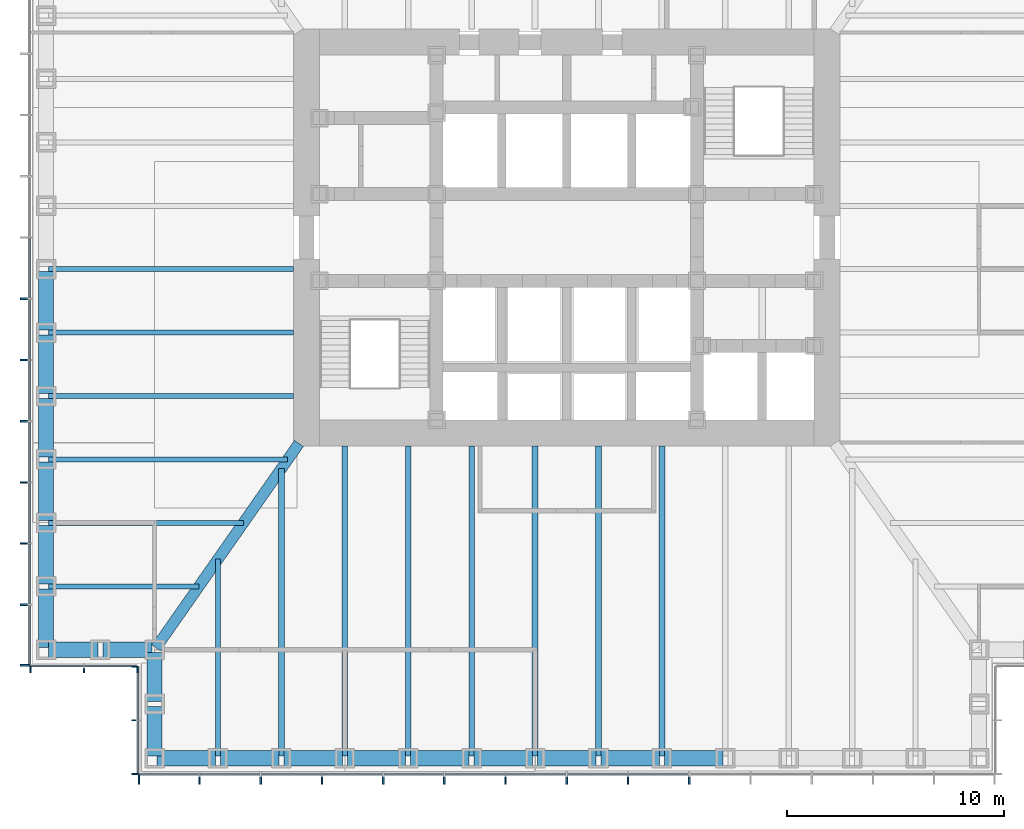
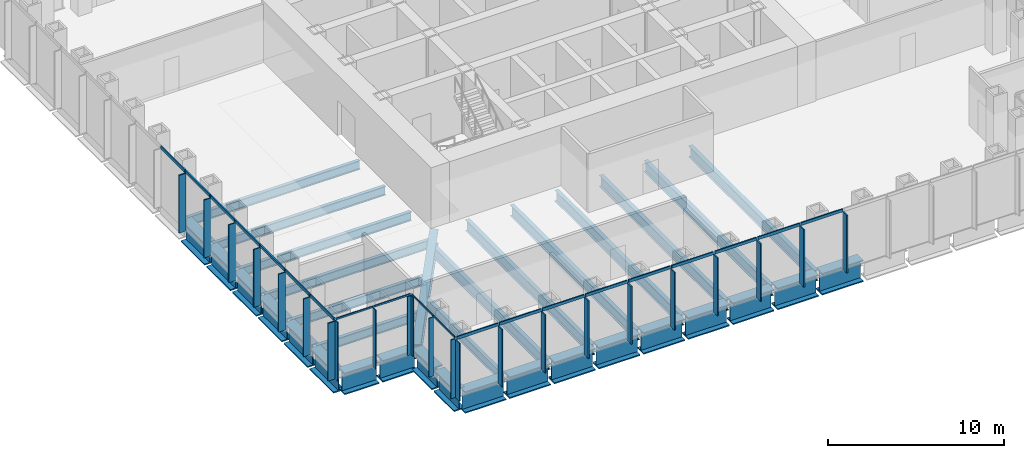
# One storey, part 2 of 16: 43 members, 34 beams, 4 elements without a shape of their own.
"""IFC4 building model written with IfcOpenShell, lengths in metres."""

from ifc_helpers import new_model, si_unit, direction, frame, origin, origin_2d, place, context, subcontext, project, spatial, rectangle, i_section, extrude, material, material_profile, profile_set, type_object, element, aggregate, save


model = new_model("IFC4")

# Units and contexts
model_context = context("Model", 3, precision=1e-05, world=origin(), true_north=direction((0.0, 1.0)))
body_context = subcontext(model_context, "Body", "Model", "MODEL_VIEW")
ifc_project = project(units=[si_unit("LENGTHUNIT", "METRE"), si_unit("AREAUNIT", "SQUARE_METRE"), si_unit("VOLUMEUNIT", "CUBIC_METRE"), si_unit("PLANEANGLEUNIT", "RADIAN"), si_unit("MASSUNIT", "GRAM", prefix="KILO")], contexts=[model_context])

# Site, building, storey
site_placement = place(None, origin())
site = spatial("IfcSite", under=ifc_project, at=site_placement, CompositionType="ELEMENT")
building_placement = place(site_placement, origin())
building = spatial("IfcBuilding", under=site, at=building_placement, Name="Daluyong Arena Tower", CompositionType="ELEMENT")
storey_placement = place(building_placement, frame((0.0, 0.0, 68.5)))
storey = spatial("IfcBuildingStorey", under=building, at=storey_placement, Name="L14", CompositionType="ELEMENT", Elevation=68.5)

# Curtain wall, members
ifc_material_1 = material(Name="Bronze anodised aluminium and glass", Category="aluminium")
curtain_wall_type_1 = type_object("IfcCurtainWallType", Name="Curtain wall CW1", PredefinedType="USERDEFINED", material=ifc_material_1)
curtain_wall_1_placement = place(storey_placement, origin())
curtain_wall_1 = element("IfcCurtainWall", 1, at=curtain_wall_1_placement, inside=storey, type_object=curtain_wall_type_1, Name="curtain wall L14 S", ObjectType="UNITISED CURTAIN WALL", PredefinedType="USERDEFINED")
ifc_material_2 = material(Name="Bronze anodised aluminium fin", Category="aluminium")
ifc_material_profile_1 = material_profile(ifc_material_2, rectangle(XDim=0.449951171875, YDim=0.080078125, at=origin_2d()))
ifc_profile_set_1 = profile_set([ifc_material_profile_1], Name="Bronze anodised aluminium fin")
member_type_1 = type_object("IfcMemberType", Name="CW1 bronze fin 450x80", PredefinedType="MULLION", material=ifc_profile_set_1)
member_1_placement = place(storey_placement, frame((36.2900390625, 55.02490234375, 0.0), z_axis=(0.0, 0.0, 1.0), x_axis=(0.0, 1.0, 0.0)))
member_1 = element("IfcMember", 2, at=member_1_placement, type_object=member_type_1, Name="curtain wall L14 S fin 1", PredefinedType="MULLION", context=body_context, shape_type="SweptSolid", body=[
    extrude(rectangle(XDim=0.449951171875, YDim=0.080078125, at=origin_2d()), origin(), (0.0, 0.0, 1.0), 4.0),
])
member_2_placement = place(storey_placement, frame((39.071533203125, 55.02490234375, 0.0), z_axis=(0.0, 0.0, 1.0), x_axis=(0.0, 1.0, 0.0)))
member_2 = element("IfcMember", 3, at=member_2_placement, type_object=member_type_1, Name="curtain wall L14 S fin 2", PredefinedType="MULLION", context=body_context, shape_type="SweptSolid", body=[
    extrude(rectangle(XDim=0.449951171875, YDim=0.080078125, at=origin_2d()), origin(), (0.0, 0.0, 1.0), 4.0),
])
member_3_placement = place(storey_placement, frame((41.892822265625, 55.02490234375, 0.0), z_axis=(0.0, 0.0, 1.0), x_axis=(0.0, 1.0, 0.0)))
member_3 = element("IfcMember", 4, at=member_3_placement, type_object=member_type_1, Name="curtain wall L14 S fin 3", PredefinedType="MULLION", context=body_context, shape_type="SweptSolid", body=[
    extrude(rectangle(XDim=0.449951171875, YDim=0.080078125, at=origin_2d()), origin(), (0.0, 0.0, 1.0), 4.0),
])
member_4_placement = place(storey_placement, frame((44.71435546875, 55.02490234375, 0.0), z_axis=(0.0, 0.0, 1.0), x_axis=(0.0, 1.0, 0.0)))
member_4 = element("IfcMember", 5, at=member_4_placement, type_object=member_type_1, Name="curtain wall L14 S fin 4", PredefinedType="MULLION", context=body_context, shape_type="SweptSolid", body=[
    extrude(rectangle(XDim=0.449951171875, YDim=0.080078125, at=origin_2d()), origin(), (0.0, 0.0, 1.0), 4.0),
])
member_5_placement = place(storey_placement, frame((47.53564453125, 55.02490234375, 0.0), z_axis=(0.0, 0.0, 1.0), x_axis=(0.0, 1.0, 0.0)))
member_5 = element("IfcMember", 6, at=member_5_placement, type_object=member_type_1, Name="curtain wall L14 S fin 5", PredefinedType="MULLION", context=body_context, shape_type="SweptSolid", body=[
    extrude(rectangle(XDim=0.449951171875, YDim=0.080078125, at=origin_2d()), origin(), (0.0, 0.0, 1.0), 4.0),
])
member_6_placement = place(storey_placement, frame((50.357177734375, 55.02490234375, 0.0), z_axis=(0.0, 0.0, 1.0), x_axis=(0.0, 1.0, 0.0)))
member_6 = element("IfcMember", 7, at=member_6_placement, type_object=member_type_1, Name="curtain wall L14 S fin 6", PredefinedType="MULLION", context=body_context, shape_type="SweptSolid", body=[
    extrude(rectangle(XDim=0.449951171875, YDim=0.080078125, at=origin_2d()), origin(), (0.0, 0.0, 1.0), 4.0),
])
member_7_placement = place(storey_placement, frame((53.178466796875, 55.02490234375, 0.0), z_axis=(0.0, 0.0, 1.0), x_axis=(0.0, 1.0, 0.0)))
member_7 = element("IfcMember", 8, at=member_7_placement, type_object=member_type_1, Name="curtain wall L14 S fin 7", PredefinedType="MULLION", context=body_context, shape_type="SweptSolid", body=[
    extrude(rectangle(XDim=0.449951171875, YDim=0.080078125, at=origin_2d()), origin(), (0.0, 0.0, 1.0), 4.0),
])
member_8_placement = place(storey_placement, frame((56.0, 55.02490234375, 0.0), z_axis=(0.0, 0.0, 1.0), x_axis=(0.0, 1.0, 0.0)))
member_8 = element("IfcMember", 9, at=member_8_placement, type_object=member_type_1, Name="curtain wall L14 S fin 8", PredefinedType="MULLION", context=body_context, shape_type="SweptSolid", body=[
    extrude(rectangle(XDim=0.449951171875, YDim=0.080078125, at=origin_2d()), origin(), (0.0, 0.0, 1.0), 4.0),
])
member_9_placement = place(storey_placement, frame((58.821533203125, 55.02490234375, 0.0), z_axis=(0.0, 0.0, 1.0), x_axis=(0.0, 1.0, 0.0)))
member_9 = element("IfcMember", 10, at=member_9_placement, type_object=member_type_1, Name="curtain wall L14 S fin 9", PredefinedType="MULLION", context=body_context, shape_type="SweptSolid", body=[
    extrude(rectangle(XDim=0.449951171875, YDim=0.080078125, at=origin_2d()), origin(), (0.0, 0.0, 1.0), 4.0),
])
member_10_placement = place(storey_placement, frame((61.642822265625, 55.02490234375, 0.0), z_axis=(0.0, 0.0, 1.0), x_axis=(0.0, 1.0, 0.0)))
member_10 = element("IfcMember", 11, at=member_10_placement, type_object=member_type_1, Name="curtain wall L14 S fin 10", PredefinedType="MULLION", context=body_context, shape_type="SweptSolid", body=[
    extrude(rectangle(XDim=0.449951171875, YDim=0.080078125, at=origin_2d()), origin(), (0.0, 0.0, 1.0), 4.0),
])

curtain_wall_2_placement = place(storey_placement, origin())
curtain_wall_2 = element("IfcCurtainWall", 12, at=curtain_wall_2_placement, inside=storey, type_object=curtain_wall_type_1, Name="curtain wall L14 W", ObjectType="UNITISED CURTAIN WALL", PredefinedType="USERDEFINED")
member_11_placement = place(storey_placement, frame((31.02490234375, 77.178466796875, 0.0), z_axis=(0.0, 0.0, 1.0), x_axis=(1.0, 0.0, 0.0)))
member_11 = element("IfcMember", 13, at=member_11_placement, type_object=member_type_1, Name="curtain wall L14 W fin 9", PredefinedType="MULLION", context=body_context, shape_type="SweptSolid", body=[
    extrude(rectangle(XDim=0.449951171875, YDim=0.080078125, at=origin_2d()), origin(), (0.0, 0.0, 1.0), 4.0),
])
member_12_placement = place(storey_placement, frame((31.02490234375, 74.357177734375, 0.0), z_axis=(0.0, 0.0, 1.0), x_axis=(1.0, 0.0, 0.0)))
member_12 = element("IfcMember", 14, at=member_12_placement, type_object=member_type_1, Name="curtain wall L14 W fin 10", PredefinedType="MULLION", context=body_context, shape_type="SweptSolid", body=[
    extrude(rectangle(XDim=0.449951171875, YDim=0.080078125, at=origin_2d()), origin(), (0.0, 0.0, 1.0), 4.0),
])
member_13_placement = place(storey_placement, frame((31.02490234375, 71.53564453125, 0.0), z_axis=(0.0, 0.0, 1.0), x_axis=(1.0, 0.0, 0.0)))
member_13 = element("IfcMember", 15, at=member_13_placement, type_object=member_type_1, Name="curtain wall L14 W fin 11", PredefinedType="MULLION", context=body_context, shape_type="SweptSolid", body=[
    extrude(rectangle(XDim=0.449951171875, YDim=0.080078125, at=origin_2d()), origin(), (0.0, 0.0, 1.0), 4.0),
])
member_14_placement = place(storey_placement, frame((31.02490234375, 68.71435546875, 0.0), z_axis=(0.0, 0.0, 1.0), x_axis=(1.0, 0.0, 0.0)))
member_14 = element("IfcMember", 16, at=member_14_placement, type_object=member_type_1, Name="curtain wall L14 W fin 12", PredefinedType="MULLION", context=body_context, shape_type="SweptSolid", body=[
    extrude(rectangle(XDim=0.449951171875, YDim=0.080078125, at=origin_2d()), origin(), (0.0, 0.0, 1.0), 4.0),
])
member_15_placement = place(storey_placement, frame((31.02490234375, 65.892822265625, 0.0), z_axis=(0.0, 0.0, 1.0), x_axis=(1.0, 0.0, 0.0)))
member_15 = element("IfcMember", 17, at=member_15_placement, type_object=member_type_1, Name="curtain wall L14 W fin 13", PredefinedType="MULLION", context=body_context, shape_type="SweptSolid", body=[
    extrude(rectangle(XDim=0.449951171875, YDim=0.080078125, at=origin_2d()), origin(), (0.0, 0.0, 1.0), 4.0),
])
member_16_placement = place(storey_placement, frame((31.02490234375, 63.071533203125, 0.0), z_axis=(0.0, 0.0, 1.0), x_axis=(1.0, 0.0, 0.0)))
member_16 = element("IfcMember", 18, at=member_16_placement, type_object=member_type_1, Name="curtain wall L14 W fin 14", PredefinedType="MULLION", context=body_context, shape_type="SweptSolid", body=[
    extrude(rectangle(XDim=0.449951171875, YDim=0.080078125, at=origin_2d()), origin(), (0.0, 0.0, 1.0), 4.0),
])
member_17_placement = place(storey_placement, frame((31.02490234375, 60.2900390625, 0.0), z_axis=(0.0, 0.0, 1.0), x_axis=(1.0, 0.0, 0.0)))
member_17 = element("IfcMember", 19, at=member_17_placement, type_object=member_type_1, Name="curtain wall L14 W fin 15", PredefinedType="MULLION", context=body_context, shape_type="SweptSolid", body=[
    extrude(rectangle(XDim=0.449951171875, YDim=0.080078125, at=origin_2d()), origin(), (0.0, 0.0, 1.0), 4.0),
])

# Member
ifc_material_3 = material(Name="Bronze anodised aluminium", Category="aluminium")
ifc_material_profile_2 = material_profile(ifc_material_3, rectangle(XDim=0.080078125, YDim=0.199951171875, at=origin_2d()))
ifc_profile_set_2 = profile_set([ifc_material_profile_2], Name="Bronze anodised aluminium")
member_type_2 = type_object("IfcMemberType", Name="CW1 stack transom 200x80", PredefinedType="USERDEFINED", material=ifc_profile_set_2)
member_18_placement = place(storey_placement, frame((36.330078125, 55.25, 4.10009765625), z_axis=(1.0, 0.0, 0.0), x_axis=(0.0, 1.0, 0.0)))
member_18 = element("IfcMember", 20, at=member_18_placement, type_object=member_type_2, Name="curtain wall L14 S transom 1", ObjectType="TRANSOM", PredefinedType="USERDEFINED", context=body_context, shape_type="SweptSolid", body=[
    extrude(rectangle(XDim=0.080078125, YDim=0.199951171875, at=origin_2d()), origin(), (0.0, 0.0, 1.0), 2.701416015625),
])

member_19_placement = place(storey_placement, frame((39.111328125, 55.25, 4.10009765625), z_axis=(1.0, 0.0, 0.0), x_axis=(0.0, 1.0, 0.0)))
member_19 = element("IfcMember", 21, at=member_19_placement, type_object=member_type_2, Name="curtain wall L14 S transom 2", ObjectType="TRANSOM", PredefinedType="USERDEFINED", context=body_context, shape_type="SweptSolid", body=[
    extrude(rectangle(XDim=0.080078125, YDim=0.199951171875, at=origin_2d()), origin(), (0.0, 0.0, 1.0), 2.741455078125),
])

member_20_placement = place(storey_placement, frame((41.932861328125, 55.25, 4.10009765625), z_axis=(1.0, 0.0, 0.0), x_axis=(0.0, 1.0, 0.0)))
member_20 = element("IfcMember", 22, at=member_20_placement, type_object=member_type_2, Name="curtain wall L14 S transom 3", ObjectType="TRANSOM", PredefinedType="USERDEFINED", context=body_context, shape_type="SweptSolid", body=[
    extrude(rectangle(XDim=0.080078125, YDim=0.199951171875, at=origin_2d()), origin(), (0.0, 0.0, 1.0), 2.741455078125),
])

member_21_placement = place(storey_placement, frame((44.75439453125, 55.25, 4.10009765625), z_axis=(1.0, 0.0, 0.0), x_axis=(0.0, 1.0, 0.0)))
member_21 = element("IfcMember", 23, at=member_21_placement, type_object=member_type_2, Name="curtain wall L14 S transom 4", ObjectType="TRANSOM", PredefinedType="USERDEFINED", context=body_context, shape_type="SweptSolid", body=[
    extrude(rectangle(XDim=0.080078125, YDim=0.199951171875, at=origin_2d()), origin(), (0.0, 0.0, 1.0), 2.7412109375),
])

member_22_placement = place(storey_placement, frame((47.57568359375, 55.25, 4.10009765625), z_axis=(1.0, 0.0, 0.0), x_axis=(0.0, 1.0, 0.0)))
member_22 = element("IfcMember", 24, at=member_22_placement, type_object=member_type_2, Name="curtain wall L14 S transom 5", ObjectType="TRANSOM", PredefinedType="USERDEFINED", context=body_context, shape_type="SweptSolid", body=[
    extrude(rectangle(XDim=0.080078125, YDim=0.199951171875, at=origin_2d()), origin(), (0.0, 0.0, 1.0), 2.741455078125),
])

member_23_placement = place(storey_placement, frame((50.397216796875, 55.25, 4.10009765625), z_axis=(1.0, 0.0, 0.0), x_axis=(0.0, 1.0, 0.0)))
member_23 = element("IfcMember", 25, at=member_23_placement, type_object=member_type_2, Name="curtain wall L14 S transom 6", ObjectType="TRANSOM", PredefinedType="USERDEFINED", context=body_context, shape_type="SweptSolid", body=[
    extrude(rectangle(XDim=0.080078125, YDim=0.199951171875, at=origin_2d()), origin(), (0.0, 0.0, 1.0), 2.741455078125),
])

member_24_placement = place(storey_placement, frame((53.218505859375, 55.25, 4.10009765625), z_axis=(1.0, 0.0, 0.0), x_axis=(0.0, 1.0, 0.0)))
member_24 = element("IfcMember", 26, at=member_24_placement, type_object=member_type_2, Name="curtain wall L14 S transom 7", ObjectType="TRANSOM", PredefinedType="USERDEFINED", context=body_context, shape_type="SweptSolid", body=[
    extrude(rectangle(XDim=0.080078125, YDim=0.199951171875, at=origin_2d()), origin(), (0.0, 0.0, 1.0), 2.741455078125),
])

member_25_placement = place(storey_placement, frame((56.0400390625, 55.25, 4.10009765625), z_axis=(1.0, 0.0, 0.0), x_axis=(0.0, 1.0, 0.0)))
member_25 = element("IfcMember", 27, at=member_25_placement, type_object=member_type_2, Name="curtain wall L14 S transom 8", ObjectType="TRANSOM", PredefinedType="USERDEFINED", context=body_context, shape_type="SweptSolid", body=[
    extrude(rectangle(XDim=0.080078125, YDim=0.199951171875, at=origin_2d()), origin(), (0.0, 0.0, 1.0), 2.741455078125),
])

member_26_placement = place(storey_placement, frame((58.861328125, 55.25, 4.10009765625), z_axis=(1.0, 0.0, 0.0), x_axis=(0.0, 1.0, 0.0)))
member_26 = element("IfcMember", 28, at=member_26_placement, type_object=member_type_2, Name="curtain wall L14 S transom 9", ObjectType="TRANSOM", PredefinedType="USERDEFINED", context=body_context, shape_type="SweptSolid", body=[
    extrude(rectangle(XDim=0.080078125, YDim=0.199951171875, at=origin_2d()), origin(), (0.0, 0.0, 1.0), 2.741455078125),
])

aggregate(curtain_wall_1, [member_1, member_2, member_3, member_4, member_5, member_6, member_7, member_8, member_9, member_10, member_18, member_19, member_20, member_21, member_22, member_23, member_24, member_25, member_26])

member_27_placement = place(storey_placement, frame((31.25, 79.9599609375, 4.10009765625), z_axis=(0.0, -1.0, 0.0), x_axis=(1.0, 0.0, 0.0)))
member_27 = element("IfcMember", 29, at=member_27_placement, type_object=member_type_2, Name="curtain wall L14 W transom 8", ObjectType="TRANSOM", PredefinedType="USERDEFINED", context=body_context, shape_type="SweptSolid", body=[
    extrude(rectangle(XDim=0.080078125, YDim=0.199951171875, at=origin_2d()), origin(), (0.0, 0.0, 1.0), 2.741455078125),
])

member_28_placement = place(storey_placement, frame((31.25, 77.138671875, 4.10009765625), z_axis=(0.0, -1.0, 0.0), x_axis=(1.0, 0.0, 0.0)))
member_28 = element("IfcMember", 30, at=member_28_placement, type_object=member_type_2, Name="curtain wall L14 W transom 9", ObjectType="TRANSOM", PredefinedType="USERDEFINED", context=body_context, shape_type="SweptSolid", body=[
    extrude(rectangle(XDim=0.080078125, YDim=0.199951171875, at=origin_2d()), origin(), (0.0, 0.0, 1.0), 2.741455078125),
])

member_29_placement = place(storey_placement, frame((31.25, 74.317138671875, 4.10009765625), z_axis=(0.0, -1.0, 0.0), x_axis=(1.0, 0.0, 0.0)))
member_29 = element("IfcMember", 31, at=member_29_placement, type_object=member_type_2, Name="curtain wall L14 W transom 10", ObjectType="TRANSOM", PredefinedType="USERDEFINED", context=body_context, shape_type="SweptSolid", body=[
    extrude(rectangle(XDim=0.080078125, YDim=0.199951171875, at=origin_2d()), origin(), (0.0, 0.0, 1.0), 2.741455078125),
])

member_30_placement = place(storey_placement, frame((31.25, 71.49560546875, 4.10009765625), z_axis=(0.0, -1.0, 0.0), x_axis=(1.0, 0.0, 0.0)))
member_30 = element("IfcMember", 32, at=member_30_placement, type_object=member_type_2, Name="curtain wall L14 W transom 11", ObjectType="TRANSOM", PredefinedType="USERDEFINED", context=body_context, shape_type="SweptSolid", body=[
    extrude(rectangle(XDim=0.080078125, YDim=0.199951171875, at=origin_2d()), origin(), (0.0, 0.0, 1.0), 2.7412109375),
])

member_31_placement = place(storey_placement, frame((31.25, 68.67431640625, 4.10009765625), z_axis=(0.0, -1.0, 0.0), x_axis=(1.0, 0.0, 0.0)))
member_31 = element("IfcMember", 33, at=member_31_placement, type_object=member_type_2, Name="curtain wall L14 W transom 12", ObjectType="TRANSOM", PredefinedType="USERDEFINED", context=body_context, shape_type="SweptSolid", body=[
    extrude(rectangle(XDim=0.080078125, YDim=0.199951171875, at=origin_2d()), origin(), (0.0, 0.0, 1.0), 2.741455078125),
])

member_32_placement = place(storey_placement, frame((31.25, 65.852783203125, 4.10009765625), z_axis=(0.0, -1.0, 0.0), x_axis=(1.0, 0.0, 0.0)))
member_32 = element("IfcMember", 34, at=member_32_placement, type_object=member_type_2, Name="curtain wall L14 W transom 13", ObjectType="TRANSOM", PredefinedType="USERDEFINED", context=body_context, shape_type="SweptSolid", body=[
    extrude(rectangle(XDim=0.080078125, YDim=0.199951171875, at=origin_2d()), origin(), (0.0, 0.0, 1.0), 2.741455078125),
])

member_33_placement = place(storey_placement, frame((31.25, 63.031494140625, 4.10009765625), z_axis=(0.0, -1.0, 0.0), x_axis=(1.0, 0.0, 0.0)))
member_33 = element("IfcMember", 35, at=member_33_placement, type_object=member_type_2, Name="curtain wall L14 W transom 14", ObjectType="TRANSOM", PredefinedType="USERDEFINED", context=body_context, shape_type="SweptSolid", body=[
    extrude(rectangle(XDim=0.080078125, YDim=0.199951171875, at=origin_2d()), origin(), (0.0, 0.0, 1.0), 2.701416015625),
])

aggregate(curtain_wall_2, [member_11, member_12, member_13, member_14, member_15, member_16, member_17, member_27, member_28, member_29, member_30, member_31, member_32, member_33])

# Curtain wall, members
ifc_material_4 = material(Name="Bronze anodised aluminium and glass", Category="aluminium")
curtain_wall_type_2 = type_object("IfcCurtainWallType", Name="Curtain wall CW7", PredefinedType="USERDEFINED", material=ifc_material_4)
curtain_wall_3_placement = place(storey_placement, origin())
curtain_wall_3 = element("IfcCurtainWall", 36, at=curtain_wall_3_placement, inside=storey, type_object=curtain_wall_type_2, Name="curtain wall L14 SW-S", ObjectType="UNITISED CURTAIN WALL", PredefinedType="USERDEFINED")
ifc_material_5 = material(Name="Bronze anodised aluminium fin", Category="aluminium")
ifc_material_profile_3 = material_profile(ifc_material_5, rectangle(XDim=0.300048828125, YDim=0.06005859375, at=origin_2d()))
ifc_profile_set_3 = profile_set([ifc_material_profile_3], Name="Bronze anodised aluminium fin")
member_type_3 = type_object("IfcMemberType", Name="CW7 bronze fin 300x60", PredefinedType="MULLION", material=ifc_profile_set_3)
member_34_placement = place(storey_placement, frame((31.280029296875, 60.10009765625, 0.0), z_axis=(0.0, 0.0, 1.0), x_axis=(0.0, 1.0, 0.0)))
member_34 = element("IfcMember", 37, at=member_34_placement, type_object=member_type_3, Name="curtain wall L14 SW-S fin 1", PredefinedType="MULLION", context=body_context, shape_type="SweptSolid", body=[
    extrude(rectangle(XDim=0.300048828125, YDim=0.06005859375, at=origin_2d()), origin(), (0.0, 0.0, 1.0), 4.080078125),
])
member_35_placement = place(storey_placement, frame((33.75, 60.10009765625, 0.0), z_axis=(0.0, 0.0, 1.0), x_axis=(0.0, 1.0, 0.0)))
member_35 = element("IfcMember", 38, at=member_35_placement, type_object=member_type_3, Name="curtain wall L14 SW-S fin 2", PredefinedType="MULLION", context=body_context, shape_type="SweptSolid", body=[
    extrude(rectangle(XDim=0.300048828125, YDim=0.06005859375, at=origin_2d()), origin(), (0.0, 0.0, 1.0), 4.080078125),
])
member_36_placement = place(storey_placement, frame((36.219970703125, 60.10009765625, 0.0), z_axis=(0.0, 0.0, 1.0), x_axis=(0.0, 1.0, 0.0)))
member_36 = element("IfcMember", 39, at=member_36_placement, type_object=member_type_3, Name="curtain wall L14 SW-S fin 3", PredefinedType="MULLION", context=body_context, shape_type="SweptSolid", body=[
    extrude(rectangle(XDim=0.300048828125, YDim=0.06005859375, at=origin_2d()), origin(), (0.0, 0.0, 1.0), 4.080078125),
])

curtain_wall_4_placement = place(storey_placement, origin())
curtain_wall_4 = element("IfcCurtainWall", 40, at=curtain_wall_4_placement, inside=storey, type_object=curtain_wall_type_2, Name="curtain wall L14 SW-W", ObjectType="UNITISED CURTAIN WALL", PredefinedType="USERDEFINED")
member_37_placement = place(storey_placement, frame((36.10009765625, 60.219970703125, 0.0), z_axis=(0.0, 0.0, 1.0), x_axis=(1.0, 0.0, 0.0)))
member_37 = element("IfcMember", 41, at=member_37_placement, type_object=member_type_3, Name="curtain wall L14 SW-W fin 1", PredefinedType="MULLION", context=body_context, shape_type="SweptSolid", body=[
    extrude(rectangle(XDim=0.300048828125, YDim=0.06005859375, at=origin_2d()), origin(), (0.0, 0.0, 1.0), 4.080078125),
])
member_38_placement = place(storey_placement, frame((36.10009765625, 57.75, 0.0), z_axis=(0.0, 0.0, 1.0), x_axis=(1.0, 0.0, 0.0)))
member_38 = element("IfcMember", 42, at=member_38_placement, type_object=member_type_3, Name="curtain wall L14 SW-W fin 2", PredefinedType="MULLION", context=body_context, shape_type="SweptSolid", body=[
    extrude(rectangle(XDim=0.300048828125, YDim=0.06005859375, at=origin_2d()), origin(), (0.0, 0.0, 1.0), 4.080078125),
])
member_39_placement = place(storey_placement, frame((36.10009765625, 55.280029296875, 0.0), z_axis=(0.0, 0.0, 1.0), x_axis=(1.0, 0.0, 0.0)))
member_39 = element("IfcMember", 43, at=member_39_placement, type_object=member_type_3, Name="curtain wall L14 SW-W fin 3", PredefinedType="MULLION", context=body_context, shape_type="SweptSolid", body=[
    extrude(rectangle(XDim=0.300048828125, YDim=0.06005859375, at=origin_2d()), origin(), (0.0, 0.0, 1.0), 4.080078125),
])

# Member
ifc_material_6 = material(Name="Bronze anodised aluminium", Category="aluminium")
ifc_material_profile_4 = material_profile(ifc_material_6, rectangle(XDim=0.06005859375, YDim=0.1201171875, at=origin_2d()))
ifc_profile_set_4 = profile_set([ifc_material_profile_4], Name="Bronze anodised aluminium")
member_type_4 = type_object("IfcMemberType", Name="CW7 stack transom 120x60", PredefinedType="USERDEFINED", material=ifc_profile_set_4)
member_40_placement = place(storey_placement, frame((31.31005859375, 60.25, 4.139892578125), z_axis=(1.0, 0.0, 0.0), x_axis=(0.0, 1.0, 0.0)))
member_40 = element("IfcMember", 44, at=member_40_placement, type_object=member_type_4, Name="curtain wall L14 SW-S transom 1", ObjectType="TRANSOM", PredefinedType="USERDEFINED", context=body_context, shape_type="SweptSolid", body=[
    extrude(rectangle(XDim=0.06005859375, YDim=0.1201171875, at=origin_2d()), origin(), (0.0, 0.0, 1.0), 2.409912109375),
])

member_41_placement = place(storey_placement, frame((33.780029296875, 60.25, 4.139892578125), z_axis=(1.0, 0.0, 0.0), x_axis=(0.0, 1.0, 0.0)))
member_41 = element("IfcMember", 45, at=member_41_placement, type_object=member_type_4, Name="curtain wall L14 SW-S transom 2", ObjectType="TRANSOM", PredefinedType="USERDEFINED", context=body_context, shape_type="SweptSolid", body=[
    extrude(rectangle(XDim=0.06005859375, YDim=0.1201171875, at=origin_2d()), origin(), (0.0, 0.0, 1.0), 2.409912109375),
])

aggregate(curtain_wall_3, [member_34, member_35, member_36, member_40, member_41])

member_42_placement = place(storey_placement, frame((36.25, 60.18994140625, 4.139892578125), z_axis=(0.0, -1.0, 0.0), x_axis=(1.0, 0.0, 0.0)))
member_42 = element("IfcMember", 46, at=member_42_placement, type_object=member_type_4, Name="curtain wall L14 SW-W transom 1", ObjectType="TRANSOM", PredefinedType="USERDEFINED", context=body_context, shape_type="SweptSolid", body=[
    extrude(rectangle(XDim=0.06005859375, YDim=0.1201171875, at=origin_2d()), origin(), (0.0, 0.0, 1.0), 2.409912109375),
])

member_43_placement = place(storey_placement, frame((36.25, 57.719970703125, 4.139892578125), z_axis=(0.0, -1.0, 0.0), x_axis=(1.0, 0.0, 0.0)))
member_43 = element("IfcMember", 47, at=member_43_placement, type_object=member_type_4, Name="curtain wall L14 SW-W transom 2", ObjectType="TRANSOM", PredefinedType="USERDEFINED", context=body_context, shape_type="SweptSolid", body=[
    extrude(rectangle(XDim=0.06005859375, YDim=0.1201171875, at=origin_2d()), origin(), (0.0, 0.0, 1.0), 2.409912109375),
])

aggregate(curtain_wall_4, [member_37, member_38, member_39, member_42, member_43])

# Beams
ifc_material_7 = material(Name="Steel ASTM A572 Grade 50", Category="steel")
ifc_material_profile_5 = material_profile(ifc_material_7, i_section(OverallWidth=0.5, OverallDepth=1.0, WebThickness=0.03, FlangeThickness=0.06, at=origin_2d()))
ifc_profile_set_5 = profile_set([ifc_material_profile_5], Name="Steel ASTM A572 Grade 50")
beam_type_1 = type_object("IfcBeamType", Name="Corner girder TB1000X500", PredefinedType="BEAM", material=ifc_profile_set_5)
beam_1_placement = place(storey_placement, frame((37.06591796875, 61.09423828125, -0.659912109375), z_axis=(0.573466621875, 0.819228926244, 0.0), x_axis=(-0.819228926244, 0.573466621875, 0.0)))
element("IfcBeam", 48, at=beam_1_placement, inside=storey, type_object=beam_type_1, Name="corner girder DG2", PredefinedType="BEAM", context=body_context, shape_type="SweptSolid", body=[
    extrude(i_section(OverallWidth=0.5, OverallDepth=1.0, WebThickness=0.03, FlangeThickness=0.06, at=origin_2d()), origin(), (0.0, 0.0, 1.0), 11.49169921875),
])
ifc_material_8 = material(Name="Steel ASTM A992 Grade 50", Category="steel")
ifc_material_profile_6 = material_profile(ifc_material_8, i_section(OverallWidth=0.22900390625, OverallDepth=0.612060546875, WebThickness=0.011962890625, FlangeThickness=0.01953125, at=origin_2d()))
ifc_profile_set_6 = profile_set([ifc_material_profile_6], Name="Steel ASTM A992 Grade 50")
beam_type_2 = type_object("IfcBeamType", Name="Floor beam W24X84", PredefinedType="BEAM", material=ifc_profile_set_6)
beam_2_placement = place(storey_placement, frame((39.923095703125, 56.114990234375, -0.466064453125), z_axis=(0.0, 1.0, 0.0), x_axis=(-1.0, 0.0, 0.0)))
element("IfcBeam", 49, at=beam_2_placement, inside=storey, type_object=beam_type_2, Name="floor beam FB3", PredefinedType="BEAM", context=body_context, shape_type="SweptSolid", body=[
    extrude(i_section(OverallWidth=0.22900390625, OverallDepth=0.612060546875, WebThickness=0.011962890625, FlangeThickness=0.01953125, at=origin_2d()), origin(), (0.0, 0.0, 1.0), 9.060791015625),
])
for number, where, z_axis, x_axis, name in (
    (50, (32.114990234375, 78.53857421875, -0.466064453125), (1.0, 0.0, 0.0), (0.0, 1.0, 0.0), "floor beam FB3"),
    (51, (32.114990234375, 75.615478515625, -0.466064453125), (1.0, 0.0, 0.0), (0.0, 1.0, 0.0), "floor beam FB3"),
    (52, (32.114990234375, 72.6923828125, -0.466064453125), (1.0, 0.0, 0.0), (0.0, 1.0, 0.0), "floor beam FB3"),
):
    element("IfcBeam", number, at=place(storey_placement, frame(where, z_axis=z_axis, x_axis=x_axis)), inside=storey, type_object=beam_type_2, Name=name, PredefinedType="BEAM", context=body_context, shape_type="SweptSolid", body=[
        extrude(i_section(OverallWidth=0.22900390625, OverallDepth=0.612060546875, WebThickness=0.011962890625, FlangeThickness=0.01953125, at=origin_2d()), origin(), (0.0, 0.0, 1.0), 11.284912109375),
    ])
beam_3_placement = place(storey_placement, frame((32.114990234375, 69.769287109375, -0.466064453125), z_axis=(1.0, 0.0, 0.0), x_axis=(0.0, 1.0, 0.0)))
element("IfcBeam", 53, at=beam_3_placement, inside=storey, type_object=beam_type_2, Name="floor beam FB3", PredefinedType="BEAM", context=body_context, shape_type="SweptSolid", body=[
    extrude(i_section(OverallWidth=0.22900390625, OverallDepth=0.612060546875, WebThickness=0.011962890625, FlangeThickness=0.01953125, at=origin_2d()), origin(), (0.0, 0.0, 1.0), 11.0234375),
])
beam_4_placement = place(storey_placement, frame((32.114990234375, 66.84619140625, -0.466064453125), z_axis=(1.0, 0.0, 0.0), x_axis=(0.0, 1.0, 0.0)))
element("IfcBeam", 54, at=beam_4_placement, inside=storey, type_object=beam_type_2, Name="floor beam FB3", PredefinedType="BEAM", context=body_context, shape_type="SweptSolid", body=[
    extrude(i_section(OverallWidth=0.22900390625, OverallDepth=0.612060546875, WebThickness=0.011962890625, FlangeThickness=0.01953125, at=origin_2d()), origin(), (0.0, 0.0, 1.0), 8.977294921875),
])
beam_5_placement = place(storey_placement, frame((32.114990234375, 63.923095703125, -0.466064453125), z_axis=(1.0, 0.0, 0.0), x_axis=(0.0, 1.0, 0.0)))
element("IfcBeam", 55, at=beam_5_placement, inside=storey, type_object=beam_type_2, Name="floor beam FB3", PredefinedType="BEAM", context=body_context, shape_type="SweptSolid", body=[
    extrude(i_section(OverallWidth=0.22900390625, OverallDepth=0.612060546875, WebThickness=0.011962890625, FlangeThickness=0.01953125, at=origin_2d()), origin(), (0.0, 0.0, 1.0), 6.93115234375),
])
ifc_material_9 = material(Name="Steel ASTM A992 Grade 50", Category="steel")
ifc_material_profile_7 = material_profile(ifc_material_9, i_section(OverallWidth=0.2666015625, OverallDepth=0.761962890625, WebThickness=0.014404296875, FlangeThickness=0.021484375, at=origin_2d()))
ifc_profile_set_7 = profile_set([ifc_material_profile_7], Name="Steel ASTM A992 Grade 50")
beam_type_3 = type_object("IfcBeamType", Name="Floor beam W30X116", PredefinedType="BEAM", material=ifc_profile_set_7)
beam_6_placement = place(storey_placement, frame((42.84619140625, 56.114990234375, -0.541015625), z_axis=(0.0, 1.0, 0.0), x_axis=(-1.0, 0.0, 0.0)))
element("IfcBeam", 56, at=beam_6_placement, inside=storey, type_object=beam_type_3, Name="floor beam FB4", PredefinedType="BEAM", context=body_context, shape_type="SweptSolid", body=[
    extrude(i_section(OverallWidth=0.2666015625, OverallDepth=0.761962890625, WebThickness=0.014404296875, FlangeThickness=0.021484375, at=origin_2d()), origin(), (0.0, 0.0, 1.0), 13.236572265625),
])
for number, where, z_axis, x_axis, name in (
    (57, (45.769287109375, 56.114990234375, -0.541015625), (0.0, 1.0, 0.0), (-1.0, 0.0, 0.0), "floor beam FB4"),
    (58, (48.6923828125, 56.114990234375, -0.541015625), (0.0, 1.0, 0.0), (-1.0, 0.0, 0.0), "floor beam FB4"),
    (59, (51.615478515625, 56.114990234375, -0.541015625), (0.0, 1.0, 0.0), (-1.0, 0.0, 0.0), "floor beam FB4"),
    (60, (54.53857421875, 56.114990234375, -0.541015625), (0.0, 1.0, 0.0), (-1.0, 0.0, 0.0), "floor beam FB4"),
    (61, (57.46142578125, 56.114990234375, -0.541015625), (0.0, 1.0, 0.0), (-1.0, 0.0, 0.0), "floor beam FB4"),
    (62, (60.384521484375, 56.114990234375, -0.541015625), (0.0, 1.0, 0.0), (-1.0, 0.0, 0.0), "floor beam FB4"),
):
    element("IfcBeam", number, at=place(storey_placement, frame(where, z_axis=z_axis, x_axis=x_axis)), inside=storey, type_object=beam_type_3, Name=name, PredefinedType="BEAM", context=body_context, shape_type="SweptSolid", body=[
        extrude(i_section(OverallWidth=0.2666015625, OverallDepth=0.761962890625, WebThickness=0.014404296875, FlangeThickness=0.021484375, at=origin_2d()), origin(), (0.0, 0.0, 1.0), 14.284912109375),
    ])
ifc_material_10 = material(Name="Steel ASTM A572 Grade 50", Category="steel")
ifc_material_profile_8 = material_profile(ifc_material_10, i_section(OverallWidth=0.699951171875, OverallDepth=1.5, WebThickness=0.04, FlangeThickness=0.08, at=origin_2d()))
ifc_profile_set_8 = profile_set([ifc_material_profile_8], Name="Steel ASTM A572 Grade 50")
beam_type_4 = type_object("IfcBeamType", Name="Spandrel Z1 PG1500X700", PredefinedType="SPANDREL", material=ifc_profile_set_8)
for number, where, z_axis, x_axis, name in (
    (63, (37.114990234375, 56.0, -0.909912109375), (1.0, 0.0, 0.0), (0.0, 1.0, 0.0), "spandrel z1 SB4"),
    (64, (40.0380859375, 56.0, -0.909912109375), (1.0, 0.0, 0.0), (0.0, 1.0, 0.0), "spandrel z1 SB4"),
    (65, (42.961181640625, 56.0, -0.909912109375), (1.0, 0.0, 0.0), (0.0, 1.0, 0.0), "spandrel z1 SB4"),
    (66, (45.88427734375, 56.0, -0.909912109375), (1.0, 0.0, 0.0), (0.0, 1.0, 0.0), "spandrel z1 SB4"),
    (67, (48.807373046875, 56.0, -0.909912109375), (1.0, 0.0, 0.0), (0.0, 1.0, 0.0), "spandrel z1 SB4"),
    (68, (51.73046875, 56.0, -0.909912109375), (1.0, 0.0, 0.0), (0.0, 1.0, 0.0), "spandrel z1 SB4"),
):
    element("IfcBeam", number, at=place(storey_placement, frame(where, z_axis=z_axis, x_axis=x_axis)), inside=storey, type_object=beam_type_4, Name=name, PredefinedType="SPANDREL", context=body_context, shape_type="SweptSolid", body=[
        extrude(i_section(OverallWidth=0.699951171875, OverallDepth=1.5, WebThickness=0.04, FlangeThickness=0.08, at=origin_2d()), origin(), (0.0, 0.0, 1.0), 2.693115234375),
    ])
beam_7_placement = place(storey_placement, frame((54.653564453125, 56.0, -0.909912109375), z_axis=(1.0, 0.0, 0.0), x_axis=(0.0, 1.0, 0.0)))
element("IfcBeam", 69, at=beam_7_placement, inside=storey, type_object=beam_type_4, Name="spandrel z1 SB4", PredefinedType="SPANDREL", context=body_context, shape_type="SweptSolid", body=[
    extrude(i_section(OverallWidth=0.699951171875, OverallDepth=1.5, WebThickness=0.04, FlangeThickness=0.08, at=origin_2d()), origin(), (0.0, 0.0, 1.0), 2.69287109375),
])
for number, where, z_axis, x_axis, name in (
    (70, (57.576416015625, 56.0, -0.909912109375), (1.0, 0.0, 0.0), (0.0, 1.0, 0.0), "spandrel z1 SB4"),
    (71, (60.49951171875, 56.0, -0.909912109375), (1.0, 0.0, 0.0), (0.0, 1.0, 0.0), "spandrel z1 SB4"),
    (72, (32.0, 78.423583984375, -0.909912109375), (0.0, -1.0, 0.0), (1.0, 0.0, 0.0), "spandrel z1 SB4"),
    (73, (32.0, 75.50048828125, -0.909912109375), (0.0, -1.0, 0.0), (1.0, 0.0, 0.0), "spandrel z1 SB4"),
    (74, (32.0, 72.577392578125, -0.909912109375), (0.0, -1.0, 0.0), (1.0, 0.0, 0.0), "spandrel z1 SB4"),
    (75, (32.0, 69.654296875, -0.909912109375), (0.0, -1.0, 0.0), (1.0, 0.0, 0.0), "spandrel z1 SB4"),
    (76, (32.0, 66.731201171875, -0.909912109375), (0.0, -1.0, 0.0), (1.0, 0.0, 0.0), "spandrel z1 SB4"),
    (77, (32.0, 63.80810546875, -0.909912109375), (0.0, -1.0, 0.0), (1.0, 0.0, 0.0), "spandrel z1 SB4"),
):
    element("IfcBeam", number, at=place(storey_placement, frame(where, z_axis=z_axis, x_axis=x_axis)), inside=storey, type_object=beam_type_4, Name=name, PredefinedType="SPANDREL", context=body_context, shape_type="SweptSolid", body=[
        extrude(i_section(OverallWidth=0.699951171875, OverallDepth=1.5, WebThickness=0.04, FlangeThickness=0.08, at=origin_2d()), origin(), (0.0, 0.0, 1.0), 2.693115234375),
    ])
for number, where, z_axis, x_axis, name in (
    (78, (32.114990234375, 61.0, -0.909912109375), (1.0, 0.0, 0.0), (0.0, 1.0, 0.0), "spandrel z1 SB4"),
    (79, (34.614990234375, 61.0, -0.909912109375), (1.0, 0.0, 0.0), (0.0, 1.0, 0.0), "spandrel z1 SB4"),
    (80, (37.0, 60.885009765625, -0.909912109375), (0.0, -1.0, 0.0), (1.0, 0.0, 0.0), "spandrel z1 SB4"),
    (81, (37.0, 58.385009765625, -0.909912109375), (0.0, -1.0, 0.0), (1.0, 0.0, 0.0), "spandrel z1 SB4"),
):
    element("IfcBeam", number, at=place(storey_placement, frame(where, z_axis=z_axis, x_axis=x_axis)), inside=storey, type_object=beam_type_4, Name=name, PredefinedType="SPANDREL", context=body_context, shape_type="SweptSolid", body=[
        extrude(i_section(OverallWidth=0.699951171875, OverallDepth=1.5, WebThickness=0.04, FlangeThickness=0.08, at=origin_2d()), origin(), (0.0, 0.0, 1.0), 2.27001953125),
    ])

save(model, "model.ifc")
